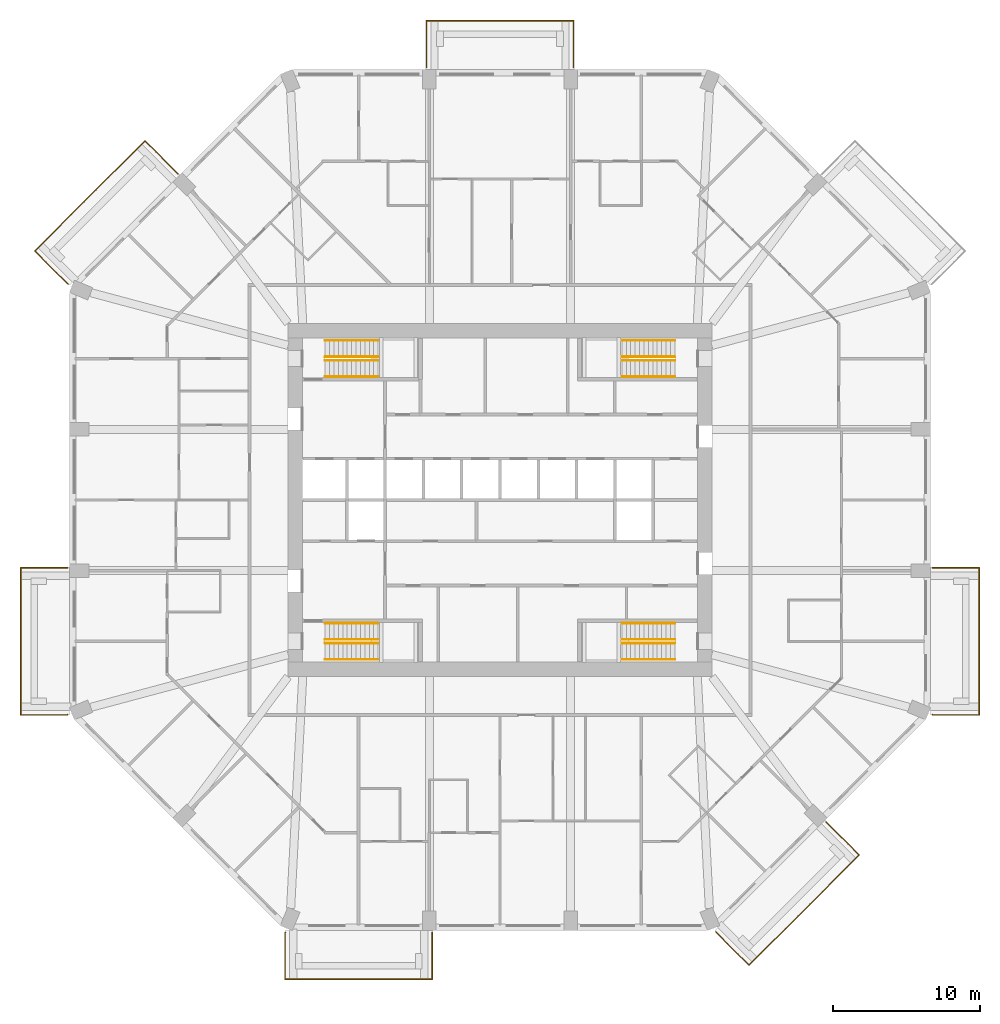
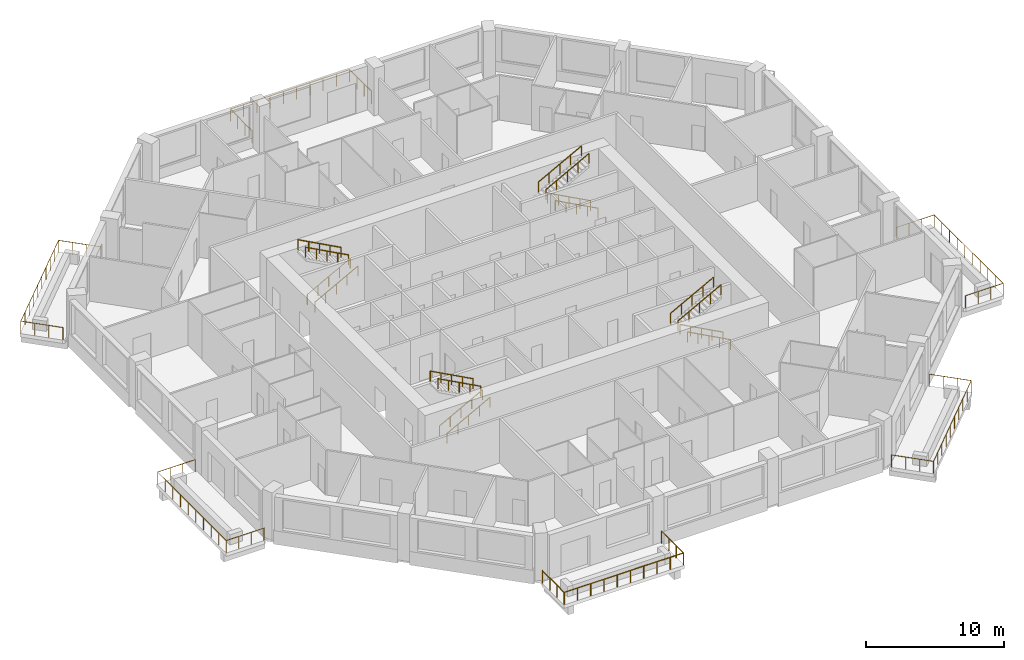
# One storey, part 12 of 13: 22 railings.
"""IFC4 building model written with IfcOpenShell, lengths in metres."""

from ifc_helpers import new_model, si_unit, direction, frame, origin, origin_2d, place, context, subcontext, project, spatial, circle, extrude, material, constituent, constituent_set, type_object, element, save


model = new_model("IFC4")

# Units and contexts
model_context = context("Model", 3, precision=1e-05, world=origin(), true_north=direction((0.0, 1.0)))
body_context = subcontext(model_context, "Body", "Model", "MODEL_VIEW")
ifc_project = project(units=[si_unit("LENGTHUNIT", "METRE"), si_unit("AREAUNIT", "SQUARE_METRE"), si_unit("VOLUMEUNIT", "CUBIC_METRE"), si_unit("PLANEANGLEUNIT", "RADIAN"), si_unit("MASSUNIT", "GRAM", prefix="KILO")], contexts=[model_context])

# Site, building, storey
site_placement = place(None, origin())
site = spatial("IfcSite", under=ifc_project, at=site_placement, CompositionType="ELEMENT")
building_placement = place(site_placement, origin())
building = spatial("IfcBuilding", under=site, at=building_placement, Name="Msitu Wima Residences", CompositionType="ELEMENT")
storey_placement = place(building_placement, frame((0.0, 0.0, 80.10009765625)))
storey = spatial("IfcBuildingStorey", under=building, at=storey_placement, Name="L18", CompositionType="ELEMENT", Elevation=80.10009765625)

# Railings
ifc_material_1 = material(Name="Steel S355", Category="steel")
ifc_constituent_1 = constituent(ifc_material_1, Name="Steel S355")
ifc_material_2 = material(Name="Weathering patina")
ifc_constituent_2 = constituent(ifc_material_2, Name="Weathering patina")
ifc_constituent_set_1 = constituent_set(constituents=[ifc_constituent_1, ifc_constituent_2], Name="Steel S355")
railing_type_1 = type_object("IfcRailingType", Name="Balcony guard GR1100", PredefinedType="GUARDRAIL", material=ifc_constituent_set_1)
railing_1_placement = place(storey_placement, frame((29.3798828125, -4.60009765625, 0.0)))
element("IfcRailing", 1, at=railing_1_placement, inside=storey, type_object=railing_type_1, Name="Balcony guard E0 L18", PredefinedType="GUARDRAIL", context=body_context, shape_type="SweptSolid", body=[
    extrude(circle(Radius=0.02392578125, at=origin_2d()), frame((0.0, 0.0, 1.076171875), z_axis=(1.0, 0.0, 0.0), x_axis=(0.0, 1.0, 0.0)), (0.0, 0.0, 1.0), 3.170166015625),
    extrude(circle(Radius=0.02392578125, at=origin_2d()), frame((3.170166015625, 0.0, 1.076171875), z_axis=(0.0, -1.0, 0.0), x_axis=(1.0, 0.0, 0.0)), (0.0, 0.0, 1.0), 10.0),
    extrude(circle(Radius=0.02392578125, at=origin_2d()), frame((3.170166015625, -10.0, 1.076171875), z_axis=(-1.0, 0.0, 0.0), x_axis=(0.0, -1.0, 0.0)), (0.0, 0.0, 1.0), 3.136474609375),
    extrude(circle(Radius=0.02392578125, at=origin_2d()), frame((0.03369140625, -10.0, 1.076171875), z_axis=(-0.92426142649, 0.38176015442, 0.0), x_axis=(-0.38176015442, -0.92426142649, 0.0)), (0.0, 0.0, 1.0), 0.036376953125),
    extrude(circle(Radius=0.02099609375, at=origin_2d()), origin(), (0.0, 0.0, 1.0), 1.052001953125),
    extrude(circle(Radius=0.02099609375, at=origin_2d()), frame((1.056640625, 0.0, 0.0)), (0.0, 0.0, 1.0), 1.052001953125),
    extrude(circle(Radius=0.02099609375, at=origin_2d()), frame((2.113525390625, 0.0, 0.0)), (0.0, 0.0, 1.0), 1.052001953125),
    extrude(circle(Radius=0.02099609375, at=origin_2d()), frame((3.170166015625, 0.0, 0.0)), (0.0, 0.0, 1.0), 1.052001953125),
    extrude(circle(Radius=0.02099609375, at=origin_2d()), frame((3.170166015625, -1.111083984375, 0.0)), (0.0, 0.0, 1.0), 1.052001953125),
    extrude(circle(Radius=0.02099609375, at=origin_2d()), frame((3.170166015625, -2.22216796875, 0.0)), (0.0, 0.0, 1.0), 1.052001953125),
    extrude(circle(Radius=0.02099609375, at=origin_2d()), frame((3.170166015625, -3.333251953125, 0.0)), (0.0, 0.0, 1.0), 1.052001953125),
    extrude(circle(Radius=0.02099609375, at=origin_2d()), frame((3.170166015625, -4.4443359375, 0.0)), (0.0, 0.0, 1.0), 1.052001953125),
    extrude(circle(Radius=0.02099609375, at=origin_2d()), frame((3.170166015625, -5.5556640625, 0.0)), (0.0, 0.0, 1.0), 1.052001953125),
    extrude(circle(Radius=0.02099609375, at=origin_2d()), frame((3.170166015625, -6.666748046875, 0.0)), (0.0, 0.0, 1.0), 1.052001953125),
    extrude(circle(Radius=0.02099609375, at=origin_2d()), frame((3.170166015625, -7.77783203125, 0.0)), (0.0, 0.0, 1.0), 1.052001953125),
    extrude(circle(Radius=0.02099609375, at=origin_2d()), frame((3.170166015625, -8.888916015625, 0.0)), (0.0, 0.0, 1.0), 1.052001953125),
    extrude(circle(Radius=0.02099609375, at=origin_2d()), frame((3.170166015625, -10.0, 0.0)), (0.0, 0.0, 1.0), 1.052001953125),
    extrude(circle(Radius=0.02099609375, at=origin_2d()), frame((2.124755859375, -10.0, 0.0)), (0.0, 0.0, 1.0), 1.052001953125),
    extrude(circle(Radius=0.02099609375, at=origin_2d()), frame((1.0791015625, -10.0, 0.0)), (0.0, 0.0, 1.0), 1.052001953125),
    extrude(circle(Radius=0.02099609375, at=origin_2d()), frame((0.03369140625, -10.0, 0.0)), (0.0, 0.0, 1.0), 1.052001953125),
    extrude(circle(Radius=0.02099609375, at=origin_2d()), frame((0.0, -9.986083984375, 0.0)), (0.0, 0.0, 1.0), 1.052001953125),
])
railing_2_placement = place(storey_placement, frame((-5.0, 29.3798828125, 0.0)))
element("IfcRailing", 2, at=railing_2_placement, inside=storey, type_object=railing_type_1, Name="Balcony guard N1 L18", PredefinedType="GUARDRAIL", context=body_context, shape_type="SweptSolid", body=[
    extrude(circle(Radius=0.02392578125, at=origin_2d()), frame((0.0, 0.0, 1.076171875), z_axis=(0.0, 1.0, 0.0), x_axis=(-1.0, 0.0, 0.0)), (0.0, 0.0, 1.0), 3.170166015625),
    extrude(circle(Radius=0.02392578125, at=origin_2d()), frame((0.0, 3.170166015625, 1.076171875), z_axis=(1.0, 0.0, 0.0), x_axis=(0.0, 1.0, 0.0)), (0.0, 0.0, 1.0), 10.0),
    extrude(circle(Radius=0.02392578125, at=origin_2d()), frame((10.0, 3.170166015625, 1.076171875), z_axis=(0.0, -1.0, 0.0), x_axis=(1.0, 0.0, 0.0)), (0.0, 0.0, 1.0), 3.170166015625),
    extrude(circle(Radius=0.02099609375, at=origin_2d()), origin(), (0.0, 0.0, 1.0), 1.052001953125),
    extrude(circle(Radius=0.02099609375, at=origin_2d()), frame((0.0, 1.056640625, 0.0)), (0.0, 0.0, 1.0), 1.052001953125),
    extrude(circle(Radius=0.02099609375, at=origin_2d()), frame((0.0, 2.113525390625, 0.0)), (0.0, 0.0, 1.0), 1.052001953125),
    extrude(circle(Radius=0.02099609375, at=origin_2d()), frame((0.0, 3.170166015625, 0.0)), (0.0, 0.0, 1.0), 1.052001953125),
    extrude(circle(Radius=0.02099609375, at=origin_2d()), frame((1.111083984375, 3.170166015625, 0.0)), (0.0, 0.0, 1.0), 1.052001953125),
    extrude(circle(Radius=0.02099609375, at=origin_2d()), frame((2.22216796875, 3.170166015625, 0.0)), (0.0, 0.0, 1.0), 1.052001953125),
    extrude(circle(Radius=0.02099609375, at=origin_2d()), frame((3.333251953125, 3.170166015625, 0.0)), (0.0, 0.0, 1.0), 1.052001953125),
    extrude(circle(Radius=0.02099609375, at=origin_2d()), frame((4.4443359375, 3.170166015625, 0.0)), (0.0, 0.0, 1.0), 1.052001953125),
    extrude(circle(Radius=0.02099609375, at=origin_2d()), frame((5.5556640625, 3.170166015625, 0.0)), (0.0, 0.0, 1.0), 1.052001953125),
    extrude(circle(Radius=0.02099609375, at=origin_2d()), frame((6.666748046875, 3.170166015625, 0.0)), (0.0, 0.0, 1.0), 1.052001953125),
    extrude(circle(Radius=0.02099609375, at=origin_2d()), frame((7.77783203125, 3.170166015625, 0.0)), (0.0, 0.0, 1.0), 1.052001953125),
    extrude(circle(Radius=0.02099609375, at=origin_2d()), frame((8.888916015625, 3.170166015625, 0.0)), (0.0, 0.0, 1.0), 1.052001953125),
    extrude(circle(Radius=0.02099609375, at=origin_2d()), frame((10.0, 3.170166015625, 0.0)), (0.0, 0.0, 1.0), 1.052001953125),
    extrude(circle(Radius=0.02099609375, at=origin_2d()), frame((10.0, 2.113525390625, 0.0)), (0.0, 0.0, 1.0), 1.052001953125),
    extrude(circle(Radius=0.02099609375, at=origin_2d()), frame((10.0, 1.056640625, 0.0)), (0.0, 0.0, 1.0), 1.052001953125),
    extrude(circle(Radius=0.02099609375, at=origin_2d()), frame((10.0, 0.0, 0.0)), (0.0, 0.0, 1.0), 1.052001953125),
])
railing_3_placement = place(storey_placement, frame((-29.341796875, 14.678466796875, 0.0)))
element("IfcRailing", 3, at=railing_3_placement, inside=storey, type_object=railing_type_1, Name="Balcony guard NW1 L18", PredefinedType="GUARDRAIL", context=body_context, shape_type="SweptSolid", body=[
    extrude(circle(Radius=0.02392578125, at=origin_2d()), frame((0.0, 0.0, 1.076171875), z_axis=(-0.923276184907, 0.384136806859, 0.0), x_axis=(-0.384136806859, -0.923276184907, 0.0)), (0.0, 0.0, 1.0), 0.0361328125),
    extrude(circle(Radius=0.02392578125, at=origin_2d()), frame((-0.033447265625, 0.013916015625, 1.076171875), z_axis=(-0.707106781187, 0.707106781187, 0.0), x_axis=(-0.707106781187, -0.707106781187, 0.0)), (0.0, 0.0, 1.0), 3.136474609375),
    extrude(circle(Radius=0.02392578125, at=origin_2d()), frame((-2.251220703125, 2.231689453125, 1.076171875), z_axis=(0.70709524572, 0.707118316465, 0.0), x_axis=(-0.707118316465, 0.70709524572, 0.0)), (0.0, 0.0, 1.0), 10.582275390625),
    extrude(circle(Radius=0.02392578125, at=origin_2d()), frame((5.2314453125, 9.714599609375, 1.076171875), z_axis=(0.707145287287, -0.707068272989, 0.0), x_axis=(0.707068272989, 0.707145287287, 0.0)), (0.0, 0.0, 1.0), 3.170166015625),
    extrude(circle(Radius=0.02099609375, at=origin_2d()), origin(), (0.0, 0.0, 1.0), 1.052001953125),
    extrude(circle(Radius=0.02099609375, at=origin_2d()), frame((-0.033447265625, 0.013916015625, 0.0)), (0.0, 0.0, 1.0), 1.052001953125),
    extrude(circle(Radius=0.02099609375, at=origin_2d()), frame((-0.772705078125, 0.753173828125, 0.0)), (0.0, 0.0, 1.0), 1.052001953125),
    extrude(circle(Radius=0.02099609375, at=origin_2d()), frame((-1.511962890625, 1.492431640625, 0.0)), (0.0, 0.0, 1.0), 1.052001953125),
    extrude(circle(Radius=0.02099609375, at=origin_2d()), frame((-2.251220703125, 2.231689453125, 0.0)), (0.0, 0.0, 1.0), 1.052001953125),
    extrude(circle(Radius=0.02099609375, at=origin_2d()), frame((-1.419921875, 3.063232421875, 0.0)), (0.0, 0.0, 1.0), 1.052001953125),
    extrude(circle(Radius=0.02099609375, at=origin_2d()), frame((-0.58837890625, 3.89453125, 0.0)), (0.0, 0.0, 1.0), 1.052001953125),
    extrude(circle(Radius=0.02099609375, at=origin_2d()), frame((0.242919921875, 4.72607421875, 0.0)), (0.0, 0.0, 1.0), 1.052001953125),
    extrude(circle(Radius=0.02099609375, at=origin_2d()), frame((1.074462890625, 5.557373046875, 0.0)), (0.0, 0.0, 1.0), 1.052001953125),
    extrude(circle(Radius=0.02099609375, at=origin_2d()), frame((1.90576171875, 6.388916015625, 0.0)), (0.0, 0.0, 1.0), 1.052001953125),
    extrude(circle(Radius=0.02099609375, at=origin_2d()), frame((2.7373046875, 7.22021484375, 0.0)), (0.0, 0.0, 1.0), 1.052001953125),
    extrude(circle(Radius=0.02099609375, at=origin_2d()), frame((3.568603515625, 8.0517578125, 0.0)), (0.0, 0.0, 1.0), 1.052001953125),
    extrude(circle(Radius=0.02099609375, at=origin_2d()), frame((4.400146484375, 8.883056640625, 0.0)), (0.0, 0.0, 1.0), 1.052001953125),
    extrude(circle(Radius=0.02099609375, at=origin_2d()), frame((5.2314453125, 9.714599609375, 0.0)), (0.0, 0.0, 1.0), 1.052001953125),
    extrude(circle(Radius=0.02099609375, at=origin_2d()), frame((5.978759765625, 8.967529296875, 0.0)), (0.0, 0.0, 1.0), 1.052001953125),
    extrude(circle(Radius=0.02099609375, at=origin_2d()), frame((6.725830078125, 8.22021484375, 0.0)), (0.0, 0.0, 1.0), 1.052001953125),
    extrude(circle(Radius=0.02099609375, at=origin_2d()), frame((7.47314453125, 7.47314453125, 0.0)), (0.0, 0.0, 1.0), 1.052001953125),
])
railing_4_placement = place(storey_placement, frame((-29.3798828125, -14.586181640625, 0.0)))
element("IfcRailing", 4, at=railing_4_placement, inside=storey, type_object=railing_type_1, Name="Balcony guard W2 L18", PredefinedType="GUARDRAIL", context=body_context, shape_type="SweptSolid", body=[
    extrude(circle(Radius=0.02392578125, at=origin_2d()), frame((0.0, 0.0, 1.076171875), z_axis=(-0.92426142649, -0.38176015442, 0.0), x_axis=(0.38176015442, -0.92426142649, 0.0)), (0.0, 0.0, 1.0), 0.036376953125),
    extrude(circle(Radius=0.02392578125, at=origin_2d()), frame((-0.03369140625, -0.013916015625, 1.076171875), z_axis=(-1.0, 0.0, 0.0), x_axis=(0.0, -1.0, 0.0)), (0.0, 0.0, 1.0), 3.136474609375),
    extrude(circle(Radius=0.02392578125, at=origin_2d()), frame((-3.170166015625, -0.013916015625, 1.076171875), z_axis=(0.0, 1.0, 0.0), x_axis=(-1.0, 0.0, 0.0)), (0.0, 0.0, 1.0), 10.0),
    extrude(circle(Radius=0.02392578125, at=origin_2d()), frame((-3.170166015625, 9.986083984375, 1.076171875), z_axis=(1.0, 0.0, 0.0), x_axis=(0.0, 1.0, 0.0)), (0.0, 0.0, 1.0), 3.170166015625),
    extrude(circle(Radius=0.02099609375, at=origin_2d()), origin(), (0.0, 0.0, 1.0), 1.052001953125),
    extrude(circle(Radius=0.02099609375, at=origin_2d()), frame((-0.03369140625, -0.013916015625, 0.0)), (0.0, 0.0, 1.0), 1.052001953125),
    extrude(circle(Radius=0.02099609375, at=origin_2d()), frame((-1.0791015625, -0.013916015625, 0.0)), (0.0, 0.0, 1.0), 1.052001953125),
    extrude(circle(Radius=0.02099609375, at=origin_2d()), frame((-2.124755859375, -0.013916015625, 0.0)), (0.0, 0.0, 1.0), 1.052001953125),
    extrude(circle(Radius=0.02099609375, at=origin_2d()), frame((-3.170166015625, -0.013916015625, 0.0)), (0.0, 0.0, 1.0), 1.052001953125),
    extrude(circle(Radius=0.02099609375, at=origin_2d()), frame((-3.170166015625, 1.09716796875, 0.0)), (0.0, 0.0, 1.0), 1.052001953125),
    extrude(circle(Radius=0.02099609375, at=origin_2d()), frame((-3.170166015625, 2.208251953125, 0.0)), (0.0, 0.0, 1.0), 1.052001953125),
    extrude(circle(Radius=0.02099609375, at=origin_2d()), frame((-3.170166015625, 3.3193359375, 0.0)), (0.0, 0.0, 1.0), 1.052001953125),
    extrude(circle(Radius=0.02099609375, at=origin_2d()), frame((-3.170166015625, 4.430419921875, 0.0)), (0.0, 0.0, 1.0), 1.052001953125),
    extrude(circle(Radius=0.02099609375, at=origin_2d()), frame((-3.170166015625, 5.541748046875, 0.0)), (0.0, 0.0, 1.0), 1.052001953125),
    extrude(circle(Radius=0.02099609375, at=origin_2d()), frame((-3.170166015625, 6.65283203125, 0.0)), (0.0, 0.0, 1.0), 1.052001953125),
    extrude(circle(Radius=0.02099609375, at=origin_2d()), frame((-3.170166015625, 7.763916015625, 0.0)), (0.0, 0.0, 1.0), 1.052001953125),
    extrude(circle(Radius=0.02099609375, at=origin_2d()), frame((-3.170166015625, 8.875, 0.0)), (0.0, 0.0, 1.0), 1.052001953125),
    extrude(circle(Radius=0.02099609375, at=origin_2d()), frame((-3.170166015625, 9.986083984375, 0.0)), (0.0, 0.0, 1.0), 1.052001953125),
    extrude(circle(Radius=0.02099609375, at=origin_2d()), frame((-2.113525390625, 9.986083984375, 0.0)), (0.0, 0.0, 1.0), 1.052001953125),
    extrude(circle(Radius=0.02099609375, at=origin_2d()), frame((-1.056640625, 9.986083984375, 0.0)), (0.0, 0.0, 1.0), 1.052001953125),
    extrude(circle(Radius=0.02099609375, at=origin_2d()), frame((0.0, 9.986083984375, 0.0)), (0.0, 0.0, 1.0), 1.052001953125),
])
railing_5_placement = place(storey_placement, frame((-4.60009765625, -29.3798828125, 0.0)))
element("IfcRailing", 5, at=railing_5_placement, inside=storey, type_object=railing_type_1, Name="Balcony guard S0 L18", PredefinedType="GUARDRAIL", context=body_context, shape_type="SweptSolid", body=[
    extrude(circle(Radius=0.02392578125, at=origin_2d()), frame((0.0, 0.0, 1.076171875), z_axis=(0.0, -1.0, 0.0), x_axis=(1.0, 0.0, 0.0)), (0.0, 0.0, 1.0), 3.170166015625),
    extrude(circle(Radius=0.02392578125, at=origin_2d()), frame((0.0, -3.170166015625, 1.076171875), z_axis=(-1.0, 0.0, 0.0), x_axis=(0.0, -1.0, 0.0)), (0.0, 0.0, 1.0), 10.0),
    extrude(circle(Radius=0.02392578125, at=origin_2d()), frame((-10.0, -3.170166015625, 1.076171875), z_axis=(0.0, 1.0, 0.0), x_axis=(-1.0, 0.0, 0.0)), (0.0, 0.0, 1.0), 3.136474609375),
    extrude(circle(Radius=0.02392578125, at=origin_2d()), frame((-10.0, -0.03369140625, 1.076171875), z_axis=(0.38176015442, 0.92426142649, 0.0), x_axis=(-0.92426142649, 0.38176015442, 0.0)), (0.0, 0.0, 1.0), 0.036376953125),
    extrude(circle(Radius=0.02099609375, at=origin_2d()), origin(), (0.0, 0.0, 1.0), 1.052001953125),
    extrude(circle(Radius=0.02099609375, at=origin_2d()), frame((0.0, -1.056640625, 0.0)), (0.0, 0.0, 1.0), 1.052001953125),
    extrude(circle(Radius=0.02099609375, at=origin_2d()), frame((0.0, -2.113525390625, 0.0)), (0.0, 0.0, 1.0), 1.052001953125),
    extrude(circle(Radius=0.02099609375, at=origin_2d()), frame((0.0, -3.170166015625, 0.0)), (0.0, 0.0, 1.0), 1.052001953125),
    extrude(circle(Radius=0.02099609375, at=origin_2d()), frame((-1.111083984375, -3.170166015625, 0.0)), (0.0, 0.0, 1.0), 1.052001953125),
    extrude(circle(Radius=0.02099609375, at=origin_2d()), frame((-2.22216796875, -3.170166015625, 0.0)), (0.0, 0.0, 1.0), 1.052001953125),
    extrude(circle(Radius=0.02099609375, at=origin_2d()), frame((-3.333251953125, -3.170166015625, 0.0)), (0.0, 0.0, 1.0), 1.052001953125),
    extrude(circle(Radius=0.02099609375, at=origin_2d()), frame((-4.4443359375, -3.170166015625, 0.0)), (0.0, 0.0, 1.0), 1.052001953125),
    extrude(circle(Radius=0.02099609375, at=origin_2d()), frame((-5.5556640625, -3.170166015625, 0.0)), (0.0, 0.0, 1.0), 1.052001953125),
    extrude(circle(Radius=0.02099609375, at=origin_2d()), frame((-6.666748046875, -3.170166015625, 0.0)), (0.0, 0.0, 1.0), 1.052001953125),
    extrude(circle(Radius=0.02099609375, at=origin_2d()), frame((-7.77783203125, -3.170166015625, 0.0)), (0.0, 0.0, 1.0), 1.052001953125),
    extrude(circle(Radius=0.02099609375, at=origin_2d()), frame((-8.888916015625, -3.170166015625, 0.0)), (0.0, 0.0, 1.0), 1.052001953125),
    extrude(circle(Radius=0.02099609375, at=origin_2d()), frame((-10.0, -3.170166015625, 0.0)), (0.0, 0.0, 1.0), 1.052001953125),
    extrude(circle(Radius=0.02099609375, at=origin_2d()), frame((-10.0, -2.124755859375, 0.0)), (0.0, 0.0, 1.0), 1.052001953125),
    extrude(circle(Radius=0.02099609375, at=origin_2d()), frame((-10.0, -1.0791015625, 0.0)), (0.0, 0.0, 1.0), 1.052001953125),
    extrude(circle(Radius=0.02099609375, at=origin_2d()), frame((-10.0, -0.03369140625, 0.0)), (0.0, 0.0, 1.0), 1.052001953125),
    extrude(circle(Radius=0.02099609375, at=origin_2d()), frame((-9.986083984375, 0.0, 0.0)), (0.0, 0.0, 1.0), 1.052001953125),
])
railing_6_placement = place(storey_placement, frame((22.151611328125, -21.86865234375, 0.0)))
element("IfcRailing", 6, at=railing_6_placement, inside=storey, type_object=railing_type_1, Name="Balcony guard SE0 L18", PredefinedType="GUARDRAIL", context=body_context, shape_type="SweptSolid", body=[
    extrude(circle(Radius=0.02392578125, at=origin_2d()), frame((0.0, 0.0, 1.076171875), z_axis=(0.707068272989, -0.707145287287, 0.0), x_axis=(0.707145287287, 0.707068272989, 0.0)), (0.0, 0.0, 1.0), 3.170166015625),
    extrude(circle(Radius=0.02392578125, at=origin_2d()), frame((2.241455078125, -2.24169921875, 1.076171875), z_axis=(-0.707118316465, -0.70709524572, 0.0), x_axis=(0.70709524572, -0.707118316465, 0.0)), (0.0, 0.0, 1.0), 10.582275390625),
    extrude(circle(Radius=0.02392578125, at=origin_2d()), frame((-5.241455078125, -9.724365234375, 1.076171875), z_axis=(-0.707106781187, 0.707106781187, 0.0), x_axis=(-0.707106781187, -0.707106781187, 0.0)), (0.0, 0.0, 1.0), 3.136474609375),
    extrude(circle(Radius=0.02392578125, at=origin_2d()), frame((-7.459228515625, -7.506591796875, 1.076171875), z_axis=(-0.384136806859, 0.923276184907, 0.0), x_axis=(-0.923276184907, -0.384136806859, 0.0)), (0.0, 0.0, 1.0), 0.0361328125),
    extrude(circle(Radius=0.02099609375, at=origin_2d()), origin(), (0.0, 0.0, 1.0), 1.052001953125),
    extrude(circle(Radius=0.02099609375, at=origin_2d()), frame((0.7470703125, -0.747314453125, 0.0)), (0.0, 0.0, 1.0), 1.052001953125),
    extrude(circle(Radius=0.02099609375, at=origin_2d()), frame((1.494384765625, -1.494384765625, 0.0)), (0.0, 0.0, 1.0), 1.052001953125),
    extrude(circle(Radius=0.02099609375, at=origin_2d()), frame((2.241455078125, -2.24169921875, 0.0)), (0.0, 0.0, 1.0), 1.052001953125),
    extrude(circle(Radius=0.02099609375, at=origin_2d()), frame((1.409912109375, -3.072998046875, 0.0)), (0.0, 0.0, 1.0), 1.052001953125),
    extrude(circle(Radius=0.02099609375, at=origin_2d()), frame((0.57861328125, -3.904541015625, 0.0)), (0.0, 0.0, 1.0), 1.052001953125),
    extrude(circle(Radius=0.02099609375, at=origin_2d()), frame((-0.2529296875, -4.73583984375, 0.0)), (0.0, 0.0, 1.0), 1.052001953125),
    extrude(circle(Radius=0.02099609375, at=origin_2d()), frame((-1.084228515625, -5.5673828125, 0.0)), (0.0, 0.0, 1.0), 1.052001953125),
    extrude(circle(Radius=0.02099609375, at=origin_2d()), frame((-1.915771484375, -6.398681640625, 0.0)), (0.0, 0.0, 1.0), 1.052001953125),
    extrude(circle(Radius=0.02099609375, at=origin_2d()), frame((-2.7470703125, -7.230224609375, 0.0)), (0.0, 0.0, 1.0), 1.052001953125),
    extrude(circle(Radius=0.02099609375, at=origin_2d()), frame((-3.57861328125, -8.0615234375, 0.0)), (0.0, 0.0, 1.0), 1.052001953125),
    extrude(circle(Radius=0.02099609375, at=origin_2d()), frame((-4.409912109375, -8.89306640625, 0.0)), (0.0, 0.0, 1.0), 1.052001953125),
    extrude(circle(Radius=0.02099609375, at=origin_2d()), frame((-5.241455078125, -9.724365234375, 0.0)), (0.0, 0.0, 1.0), 1.052001953125),
    extrude(circle(Radius=0.02099609375, at=origin_2d()), frame((-5.980712890625, -8.985107421875, 0.0)), (0.0, 0.0, 1.0), 1.052001953125),
    extrude(circle(Radius=0.02099609375, at=origin_2d()), frame((-6.719970703125, -8.245849609375, 0.0)), (0.0, 0.0, 1.0), 1.052001953125),
    extrude(circle(Radius=0.02099609375, at=origin_2d()), frame((-7.459228515625, -7.506591796875, 0.0)), (0.0, 0.0, 1.0), 1.052001953125),
    extrude(circle(Radius=0.02099609375, at=origin_2d()), frame((-7.47314453125, -7.47314453125, 0.0)), (0.0, 0.0, 1.0), 1.052001953125),
])
ifc_constituent_3 = constituent(ifc_material_1, Name="Steel S355")
ifc_material_3 = material(Name="Black powder coating")
ifc_constituent_4 = constituent(ifc_material_3, Name="Black powder coating")
ifc_constituent_set_2 = constituent_set(constituents=[ifc_constituent_3, ifc_constituent_4], Name="Steel S355")
railing_type_2 = type_object("IfcRailingType", Name="Stair handrail HR1", PredefinedType="HANDRAIL", material=ifc_constituent_set_2)
for number, where, name in (
    (7, (-11.875, 8.375, 0.161376953125), "Stair 1 handrail"),
    (8, (-11.875, 9.47509765625, 0.161376953125), "Stair 1 handrail"),
):
    element("IfcRailing", number, at=place(storey_placement, frame(where)), inside=storey, type_object=railing_type_2, Name=name, PredefinedType="HANDRAIL", context=body_context, shape_type="SweptSolid", body=[
        extrude(circle(Radius=0.02392578125, at=origin_2d()), frame((0.0, 0.0, 0.8759765625), z_axis=(0.880474934443, 0.0, 0.474092701714), x_axis=(0.0, 1.0, 0.0)), (0.0, 0.0, 1.0), 4.0888671875),
        extrude(circle(Radius=0.02099609375, at=origin_2d()), origin(), (0.0, 0.0, 1.0), 0.851806640625),
        extrude(circle(Radius=0.02099609375, at=origin_2d()), frame((0.89990234375, 0.0, 0.484619140625)), (0.0, 0.0, 1.0), 0.851806640625),
        extrude(circle(Radius=0.02099609375, at=origin_2d()), frame((1.800048828125, 0.0, 0.96923828125)), (0.0, 0.0, 1.0), 0.851806640625),
        extrude(circle(Radius=0.02099609375, at=origin_2d()), frame((2.7001953125, 0.0, 1.453857421875)), (0.0, 0.0, 1.0), 0.851806640625),
        extrude(circle(Radius=0.02099609375, at=origin_2d()), frame((3.60009765625, 0.0, 1.9384765625)), (0.0, 0.0, 1.0), 0.851806640625),
    ])
for number, where, name in (
    (9, (-8.27490234375, 9.72509765625, 2.261474609375), "Stair 1 handrail"),
    (10, (-8.27490234375, 10.824951171875, 2.261474609375), "Stair 1 handrail"),
):
    element("IfcRailing", number, at=place(storey_placement, frame(where)), inside=storey, type_object=railing_type_2, Name=name, PredefinedType="HANDRAIL", context=body_context, shape_type="SweptSolid", body=[
        extrude(circle(Radius=0.02392578125, at=origin_2d()), frame((0.0, 0.0, 0.8759765625), z_axis=(-0.880474934443, 0.0, 0.474092701714), x_axis=(0.0, -1.0, 0.0)), (0.0, 0.0, 1.0), 4.0888671875),
        extrude(circle(Radius=0.02099609375, at=origin_2d()), origin(), (0.0, 0.0, 1.0), 0.851806640625),
        extrude(circle(Radius=0.02099609375, at=origin_2d()), frame((-0.89990234375, 0.0, 0.484619140625)), (0.0, 0.0, 1.0), 0.851806640625),
        extrude(circle(Radius=0.02099609375, at=origin_2d()), frame((-1.800048828125, 0.0, 0.96923828125)), (0.0, 0.0, 1.0), 0.851806640625),
        extrude(circle(Radius=0.02099609375, at=origin_2d()), frame((-2.7001953125, 0.0, 1.453857421875)), (0.0, 0.0, 1.0), 0.851806640625),
        extrude(circle(Radius=0.02099609375, at=origin_2d()), frame((-3.60009765625, 0.0, 1.9384765625)), (0.0, 0.0, 1.0), 0.851806640625),
    ])
for number, where, name in (
    (11, (-11.875, -10.824951171875, 0.161376953125), "Stair 2 handrail"),
    (12, (-11.875, -9.72509765625, 0.161376953125), "Stair 2 handrail"),
):
    element("IfcRailing", number, at=place(storey_placement, frame(where)), inside=storey, type_object=railing_type_2, Name=name, PredefinedType="HANDRAIL", context=body_context, shape_type="SweptSolid", body=[
        extrude(circle(Radius=0.02392578125, at=origin_2d()), frame((0.0, 0.0, 0.8759765625), z_axis=(0.880474934443, 0.0, 0.474092701714), x_axis=(0.0, 1.0, 0.0)), (0.0, 0.0, 1.0), 4.0888671875),
        extrude(circle(Radius=0.02099609375, at=origin_2d()), origin(), (0.0, 0.0, 1.0), 0.851806640625),
        extrude(circle(Radius=0.02099609375, at=origin_2d()), frame((0.89990234375, 0.0, 0.484619140625)), (0.0, 0.0, 1.0), 0.851806640625),
        extrude(circle(Radius=0.02099609375, at=origin_2d()), frame((1.800048828125, 0.0, 0.96923828125)), (0.0, 0.0, 1.0), 0.851806640625),
        extrude(circle(Radius=0.02099609375, at=origin_2d()), frame((2.7001953125, 0.0, 1.453857421875)), (0.0, 0.0, 1.0), 0.851806640625),
        extrude(circle(Radius=0.02099609375, at=origin_2d()), frame((3.60009765625, 0.0, 1.9384765625)), (0.0, 0.0, 1.0), 0.851806640625),
    ])
for number, where, name in (
    (13, (-8.27490234375, -9.47509765625, 2.261474609375), "Stair 2 handrail"),
    (14, (-8.27490234375, -8.375, 2.261474609375), "Stair 2 handrail"),
    (15, (11.875, 8.375, 0.161376953125), "Stair 3 handrail"),
    (16, (11.875, 9.47509765625, 0.161376953125), "Stair 3 handrail"),
):
    element("IfcRailing", number, at=place(storey_placement, frame(where)), inside=storey, type_object=railing_type_2, Name=name, PredefinedType="HANDRAIL", context=body_context, shape_type="SweptSolid", body=[
        extrude(circle(Radius=0.02392578125, at=origin_2d()), frame((0.0, 0.0, 0.8759765625), z_axis=(-0.880474934443, 0.0, 0.474092701714), x_axis=(0.0, -1.0, 0.0)), (0.0, 0.0, 1.0), 4.0888671875),
        extrude(circle(Radius=0.02099609375, at=origin_2d()), origin(), (0.0, 0.0, 1.0), 0.851806640625),
        extrude(circle(Radius=0.02099609375, at=origin_2d()), frame((-0.89990234375, 0.0, 0.484619140625)), (0.0, 0.0, 1.0), 0.851806640625),
        extrude(circle(Radius=0.02099609375, at=origin_2d()), frame((-1.800048828125, 0.0, 0.96923828125)), (0.0, 0.0, 1.0), 0.851806640625),
        extrude(circle(Radius=0.02099609375, at=origin_2d()), frame((-2.7001953125, 0.0, 1.453857421875)), (0.0, 0.0, 1.0), 0.851806640625),
        extrude(circle(Radius=0.02099609375, at=origin_2d()), frame((-3.60009765625, 0.0, 1.9384765625)), (0.0, 0.0, 1.0), 0.851806640625),
    ])
for number, where, name in (
    (17, (8.27490234375, 9.72509765625, 2.261474609375), "Stair 3 handrail"),
    (18, (8.27490234375, 10.824951171875, 2.261474609375), "Stair 3 handrail"),
):
    element("IfcRailing", number, at=place(storey_placement, frame(where)), inside=storey, type_object=railing_type_2, Name=name, PredefinedType="HANDRAIL", context=body_context, shape_type="SweptSolid", body=[
        extrude(circle(Radius=0.02392578125, at=origin_2d()), frame((0.0, 0.0, 0.8759765625), z_axis=(0.880474934443, 0.0, 0.474092701714), x_axis=(0.0, 1.0, 0.0)), (0.0, 0.0, 1.0), 4.0888671875),
        extrude(circle(Radius=0.02099609375, at=origin_2d()), origin(), (0.0, 0.0, 1.0), 0.851806640625),
        extrude(circle(Radius=0.02099609375, at=origin_2d()), frame((0.89990234375, 0.0, 0.484619140625)), (0.0, 0.0, 1.0), 0.851806640625),
        extrude(circle(Radius=0.02099609375, at=origin_2d()), frame((1.800048828125, 0.0, 0.96923828125)), (0.0, 0.0, 1.0), 0.851806640625),
        extrude(circle(Radius=0.02099609375, at=origin_2d()), frame((2.7001953125, 0.0, 1.453857421875)), (0.0, 0.0, 1.0), 0.851806640625),
        extrude(circle(Radius=0.02099609375, at=origin_2d()), frame((3.60009765625, 0.0, 1.9384765625)), (0.0, 0.0, 1.0), 0.851806640625),
    ])
for number, where, name in (
    (19, (11.875, -10.824951171875, 0.161376953125), "Stair 4 handrail"),
    (20, (11.875, -9.72509765625, 0.161376953125), "Stair 4 handrail"),
):
    element("IfcRailing", number, at=place(storey_placement, frame(where)), inside=storey, type_object=railing_type_2, Name=name, PredefinedType="HANDRAIL", context=body_context, shape_type="SweptSolid", body=[
        extrude(circle(Radius=0.02392578125, at=origin_2d()), frame((0.0, 0.0, 0.8759765625), z_axis=(-0.880474934443, 0.0, 0.474092701714), x_axis=(0.0, -1.0, 0.0)), (0.0, 0.0, 1.0), 4.0888671875),
        extrude(circle(Radius=0.02099609375, at=origin_2d()), origin(), (0.0, 0.0, 1.0), 0.851806640625),
        extrude(circle(Radius=0.02099609375, at=origin_2d()), frame((-0.89990234375, 0.0, 0.484619140625)), (0.0, 0.0, 1.0), 0.851806640625),
        extrude(circle(Radius=0.02099609375, at=origin_2d()), frame((-1.800048828125, 0.0, 0.96923828125)), (0.0, 0.0, 1.0), 0.851806640625),
        extrude(circle(Radius=0.02099609375, at=origin_2d()), frame((-2.7001953125, 0.0, 1.453857421875)), (0.0, 0.0, 1.0), 0.851806640625),
        extrude(circle(Radius=0.02099609375, at=origin_2d()), frame((-3.60009765625, 0.0, 1.9384765625)), (0.0, 0.0, 1.0), 0.851806640625),
    ])
for number, where, name in (
    (21, (8.27490234375, -9.47509765625, 2.261474609375), "Stair 4 handrail"),
    (22, (8.27490234375, -8.375, 2.261474609375), "Stair 4 handrail"),
):
    element("IfcRailing", number, at=place(storey_placement, frame(where)), inside=storey, type_object=railing_type_2, Name=name, PredefinedType="HANDRAIL", context=body_context, shape_type="SweptSolid", body=[
        extrude(circle(Radius=0.02392578125, at=origin_2d()), frame((0.0, 0.0, 0.8759765625), z_axis=(0.880474934443, 0.0, 0.474092701714), x_axis=(0.0, 1.0, 0.0)), (0.0, 0.0, 1.0), 4.0888671875),
        extrude(circle(Radius=0.02099609375, at=origin_2d()), origin(), (0.0, 0.0, 1.0), 0.851806640625),
        extrude(circle(Radius=0.02099609375, at=origin_2d()), frame((0.89990234375, 0.0, 0.484619140625)), (0.0, 0.0, 1.0), 0.851806640625),
        extrude(circle(Radius=0.02099609375, at=origin_2d()), frame((1.800048828125, 0.0, 0.96923828125)), (0.0, 0.0, 1.0), 0.851806640625),
        extrude(circle(Radius=0.02099609375, at=origin_2d()), frame((2.7001953125, 0.0, 1.453857421875)), (0.0, 0.0, 1.0), 0.851806640625),
        extrude(circle(Radius=0.02099609375, at=origin_2d()), frame((3.60009765625, 0.0, 1.9384765625)), (0.0, 0.0, 1.0), 0.851806640625),
    ])

save(model, "model.ifc")
